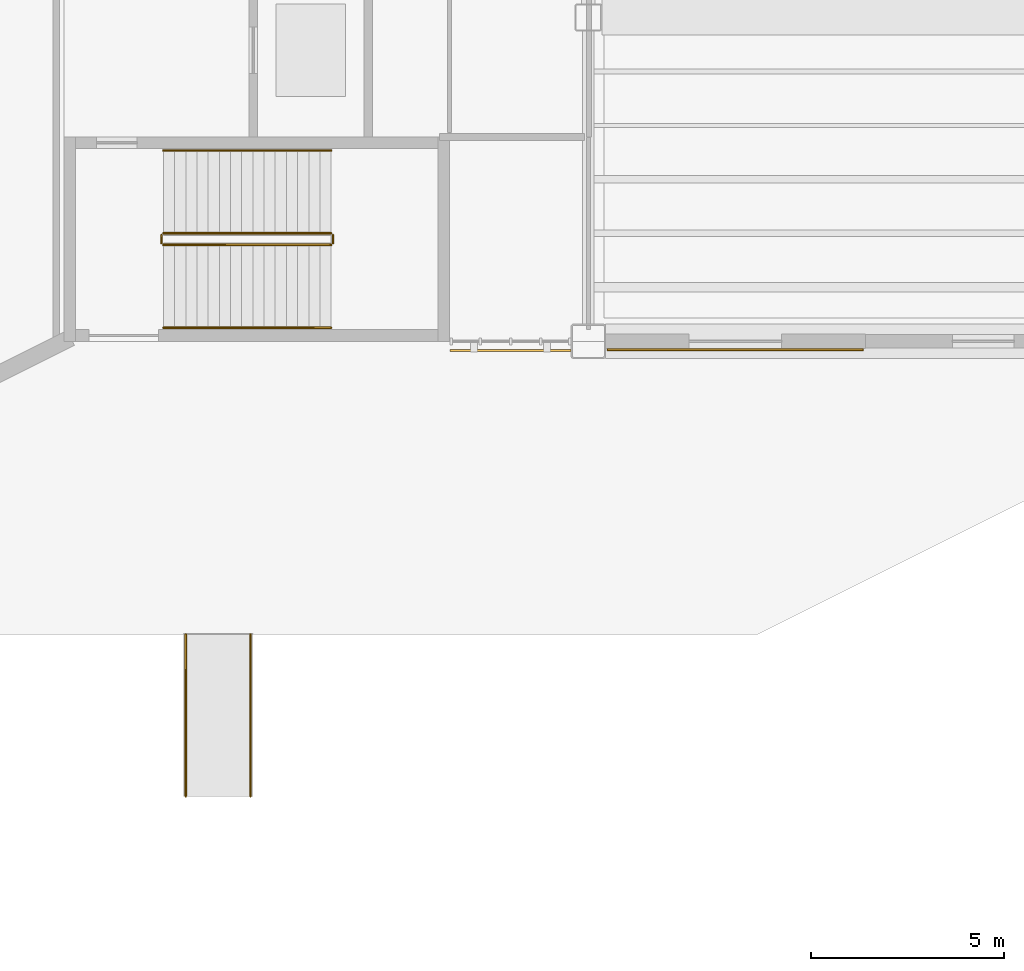
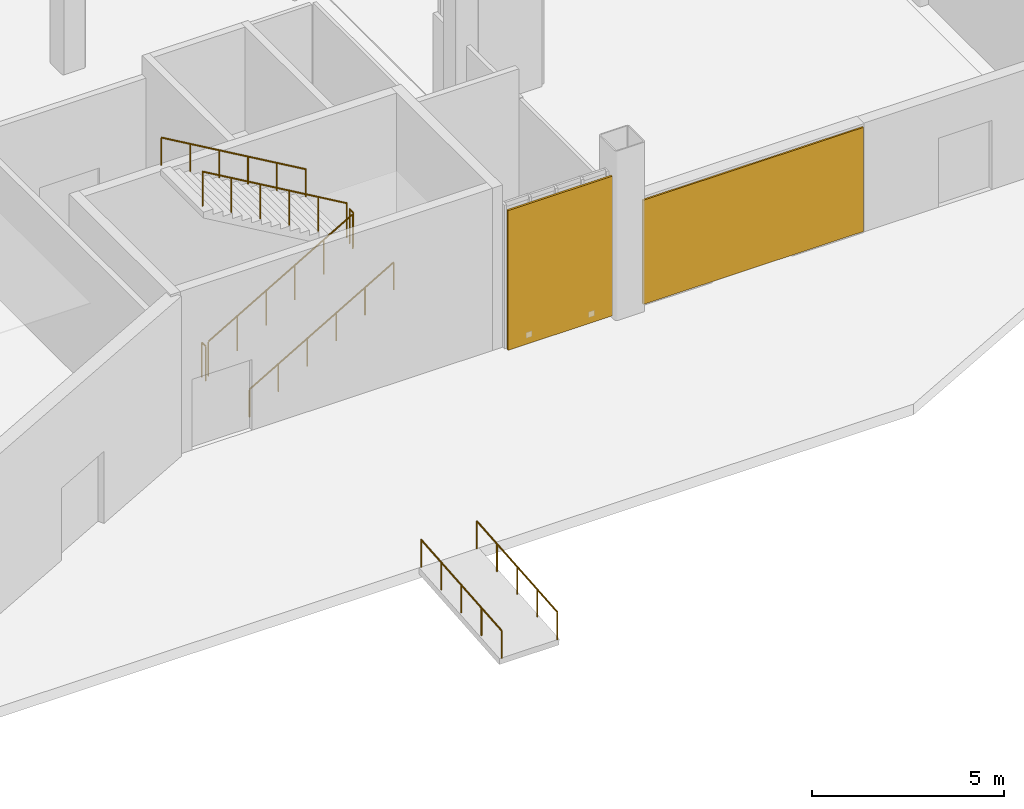
# One storey, part 102 of 111: 8 railings, 1 covering, 1 shading device.
"""IFC4 building model written with IfcOpenShell, lengths in metres."""

from ifc_helpers import new_model, si_unit, direction, frame, origin, origin_2d, place, context, subcontext, project, spatial, rectangle, circle, extrude, material, layer, layer_set, type_object, element, save


model = new_model("IFC4")

# Units and contexts
model_context = context("Model", 3, precision=1e-05, world=origin(), true_north=direction((0.0, 1.0)))
body_context = subcontext(model_context, "Body", "Model", "MODEL_VIEW")
ifc_project = project(units=[si_unit("LENGTHUNIT", "METRE"), si_unit("AREAUNIT", "SQUARE_METRE"), si_unit("VOLUMEUNIT", "CUBIC_METRE"), si_unit("PLANEANGLEUNIT", "RADIAN"), si_unit("MASSUNIT", "GRAM", prefix="KILO")], contexts=[model_context])

# Site, building, storey
site_placement = place(None, origin())
site = spatial("IfcSite", under=ifc_project, at=site_placement, CompositionType="ELEMENT")
building_placement = place(site_placement, origin())
building = spatial("IfcBuilding", under=site, at=building_placement, Name="Larkvane Passage Sports Hall", CompositionType="ELEMENT")
storey_placement = place(building_placement, origin())
storey = spatial("IfcBuildingStorey", under=building, at=storey_placement, Name="L00", CompositionType="ELEMENT", Elevation=0.0)

# Covering
ifc_material_1 = material(Name="Perforated anodised aluminium 5052-H32", Category="aluminium")
ifc_layer_1 = layer(ifc_material_1, 0.050048828125)
ifc_layer_set_1 = layer_set([ifc_layer_1], Name="Perforated anodised aluminium 5052-H32")
covering_type = type_object("IfcCoveringType", Name="COV-MESH-VEIL", PredefinedType="CLADDING", material=ifc_layer_set_1)
covering_placement = place(storey_placement, frame((135.415283203125, 22.58251953125, 0.07470703125), z_axis=(0.0, 0.0, 1.0), x_axis=(-1.0, 0.0, 0.0)))
element("IfcCovering", 1, at=covering_placement, inside=storey, type_object=covering_type, Name="Perforated cladding cassette L00-052", PredefinedType="CLADDING", context=body_context, shape_type="SweptSolid", body=[
    extrude(rectangle(XDim=6.638916015625, YDim=0.050048828125, at=origin_2d()), origin(), (0.0, 0.0, 1.0), 3.318115234375),
])

# Railings
ifc_material_2 = material(Name="Steel S355JR", Category="steel")
railing_type_1 = type_object("IfcRailingType", Name="RL-GUARD-1120", PredefinedType="GUARDRAIL", material=ifc_material_2)
railing_1_placement = place(storey_placement, frame((120.580078125, 25.300048828125, 0.168701171875)))
element("IfcRailing", 2, at=railing_1_placement, inside=storey, type_object=railing_type_1, Name="L00 ST-05 stair guard 1", PredefinedType="GUARDRAIL", context=body_context, shape_type="SweptSolid", body=[
    extrude(circle(Radius=0.02392578125, at=origin_2d()), frame((0.001708984375, 0.0, 1.09716796875), z_axis=(0.864311530196, 0.0, 0.502956835891), x_axis=(0.0, 1.0, 0.0)), (0.0, 0.0, 1.0), 5.02880859375),
    extrude(circle(Radius=0.02099609375, at=origin_2d()), origin(), (0.0, 0.0, 1.0), 1.072021484375),
    extrude(circle(Radius=0.02099609375, at=origin_2d()), frame((0.869873046875, 0.0, 0.50634765625)), (0.0, 0.0, 1.0), 1.072021484375),
    extrude(circle(Radius=0.02099609375, at=origin_2d()), frame((1.739990234375, 0.0, 1.012451171875)), (0.0, 0.0, 1.0), 1.072021484375),
    extrude(circle(Radius=0.02099609375, at=origin_2d()), frame((2.60986328125, 0.0, 1.518798828125)), (0.0, 0.0, 1.0), 1.072021484375),
    extrude(circle(Radius=0.02099609375, at=origin_2d()), frame((3.47998046875, 0.0, 2.02490234375)), (0.0, 0.0, 1.0), 1.072021484375),
    extrude(circle(Radius=0.02099609375, at=origin_2d()), frame((4.349853515625, 0.0, 2.53125)), (0.0, 0.0, 1.0), 1.072021484375),
])
railing_2_placement = place(storey_placement, frame((124.97998046875, 25.35009765625, 2.699951171875)))
element("IfcRailing", 3, at=railing_2_placement, inside=storey, type_object=railing_type_1, Name="L00 ST-05 stair guard 2", PredefinedType="GUARDRAIL", context=body_context, shape_type="SweptSolid", body=[
    extrude(circle(Radius=0.02392578125, at=origin_2d()), frame((0.0, 0.001953125, 1.09619140625), z_axis=(0.0, 1.0, 0.0), x_axis=(-1.0, 0.0, 0.0)), (0.0, 0.0, 1.0), 0.196044921875),
    extrude(circle(Radius=0.02099609375, at=origin_2d()), origin(), (0.0, 0.0, 1.0), 1.072021484375),
    extrude(circle(Radius=0.02099609375, at=origin_2d()), frame((0.0, 0.199951171875, 0.0)), (0.0, 0.0, 1.0), 1.072021484375),
])
railing_3_placement = place(storey_placement, frame((124.929931640625, 25.60009765625, 2.86865234375)))
element("IfcRailing", 4, at=railing_3_placement, inside=storey, type_object=railing_type_1, Name="L00 ST-05 stair guard 3", PredefinedType="GUARDRAIL", context=body_context, shape_type="SweptSolid", body=[
    extrude(circle(Radius=0.02392578125, at=origin_2d()), frame((-0.001708984375, 0.0, 1.09716796875), z_axis=(-0.864311530196, 0.0, 0.502956835891), x_axis=(0.0, -1.0, 0.0)), (0.0, 0.0, 1.0), 5.02880859375),
    extrude(circle(Radius=0.02099609375, at=origin_2d()), origin(), (0.0, 0.0, 1.0), 1.072021484375),
    extrude(circle(Radius=0.02099609375, at=origin_2d()), frame((-0.869873046875, 0.0, 0.50634765625)), (0.0, 0.0, 1.0), 1.072021484375),
    extrude(circle(Radius=0.02099609375, at=origin_2d()), frame((-1.739990234375, 0.0, 1.012451171875)), (0.0, 0.0, 1.0), 1.072021484375),
    extrude(circle(Radius=0.02099609375, at=origin_2d()), frame((-2.60986328125, 0.0, 1.518798828125)), (0.0, 0.0, 1.0), 1.072021484375),
    extrude(circle(Radius=0.02099609375, at=origin_2d()), frame((-3.47998046875, 0.0, 2.02490234375)), (0.0, 0.0, 1.0), 1.072021484375),
    extrude(circle(Radius=0.02099609375, at=origin_2d()), frame((-4.349853515625, 0.0, 2.53125)), (0.0, 0.0, 1.0), 1.072021484375),
])
railing_4_placement = place(storey_placement, frame((120.530029296875, 25.35009765625, 0.0)))
element("IfcRailing", 5, at=railing_4_placement, inside=storey, type_object=railing_type_1, Name="L00 ST-05 stair guard 4", PredefinedType="GUARDRAIL", context=body_context, shape_type="SweptSolid", body=[
    extrude(circle(Radius=0.02392578125, at=origin_2d()), frame((0.0, 0.001953125, 1.09619140625), z_axis=(0.0, 1.0, 0.0), x_axis=(-1.0, 0.0, 0.0)), (0.0, 0.0, 1.0), 0.196044921875),
    extrude(circle(Radius=0.02099609375, at=origin_2d()), origin(), (0.0, 0.0, 1.0), 1.072021484375),
    extrude(circle(Radius=0.02099609375, at=origin_2d()), frame((0.0, 0.199951171875, 0.0)), (0.0, 0.0, 1.0), 1.072021484375),
])
ifc_material_3 = material(Name="Stainless steel S355JR", Category="steel")
railing_type_2 = type_object("IfcRailingType", Name="RL-HAND-920", PredefinedType="HANDRAIL", material=ifc_material_3)
railing_5_placement = place(storey_placement, frame((120.580078125, 23.14990234375, 0.168701171875)))
element("IfcRailing", 6, at=railing_5_placement, inside=storey, type_object=railing_type_2, Name="L00 ST-05 stair handrail 1", PredefinedType="HANDRAIL", context=body_context, shape_type="SweptSolid", body=[
    extrude(circle(Radius=0.02392578125, at=origin_2d()), frame((0.001708984375, 0.0, 0.876953125), z_axis=(0.864311530196, 0.0, 0.502956835891), x_axis=(0.0, 1.0, 0.0)), (0.0, 0.0, 1.0), 5.02880859375),
    extrude(circle(Radius=0.02099609375, at=origin_2d()), origin(), (0.0, 0.0, 1.0), 0.851806640625),
    extrude(circle(Radius=0.02099609375, at=origin_2d()), frame((0.869873046875, 0.0, 0.50634765625)), (0.0, 0.0, 1.0), 0.851806640625),
    extrude(circle(Radius=0.02099609375, at=origin_2d()), frame((1.739990234375, 0.0, 1.012451171875)), (0.0, 0.0, 1.0), 0.851806640625),
    extrude(circle(Radius=0.02099609375, at=origin_2d()), frame((2.60986328125, 0.0, 1.518798828125)), (0.0, 0.0, 1.0), 0.851806640625),
    extrude(circle(Radius=0.02099609375, at=origin_2d()), frame((3.47998046875, 0.0, 2.02490234375)), (0.0, 0.0, 1.0), 0.851806640625),
    extrude(circle(Radius=0.02099609375, at=origin_2d()), frame((4.349853515625, 0.0, 2.53125)), (0.0, 0.0, 1.0), 0.851806640625),
])
railing_6_placement = place(storey_placement, frame((124.929931640625, 27.75, 2.86865234375)))
element("IfcRailing", 7, at=railing_6_placement, inside=storey, type_object=railing_type_2, Name="L00 ST-05 stair handrail 2", PredefinedType="HANDRAIL", context=body_context, shape_type="SweptSolid", body=[
    extrude(circle(Radius=0.02392578125, at=origin_2d()), frame((-0.001708984375, 0.0, 0.876953125), z_axis=(-0.864311530196, 0.0, 0.502956835891), x_axis=(0.0, -1.0, 0.0)), (0.0, 0.0, 1.0), 5.02880859375),
    extrude(circle(Radius=0.02099609375, at=origin_2d()), origin(), (0.0, 0.0, 1.0), 0.851806640625),
    extrude(circle(Radius=0.02099609375, at=origin_2d()), frame((-0.869873046875, 0.0, 0.50634765625)), (0.0, 0.0, 1.0), 0.851806640625),
    extrude(circle(Radius=0.02099609375, at=origin_2d()), frame((-1.739990234375, 0.0, 1.012451171875)), (0.0, 0.0, 1.0), 0.851806640625),
    extrude(circle(Radius=0.02099609375, at=origin_2d()), frame((-2.60986328125, 0.0, 1.518798828125)), (0.0, 0.0, 1.0), 0.851806640625),
    extrude(circle(Radius=0.02099609375, at=origin_2d()), frame((-3.47998046875, 0.0, 2.02490234375)), (0.0, 0.0, 1.0), 0.851806640625),
    extrude(circle(Radius=0.02099609375, at=origin_2d()), frame((-4.349853515625, 0.0, 2.53125)), (0.0, 0.0, 1.0), 0.851806640625),
])
for number, where, name in (
    (8, (121.159912109375, 11.0, -0.35009765625), "Accessible ramp handrail RA-06-W"),
    (9, (122.840087890625, 11.0, -0.35009765625), "Accessible ramp handrail RA-06-E"),
):
    element("IfcRailing", number, at=place(storey_placement, frame(where)), inside=storey, type_object=railing_type_2, Name=name, PredefinedType="HANDRAIL", context=body_context, shape_type="SweptSolid", body=[
        extrude(circle(Radius=0.02392578125, at=origin_2d()), frame((0.0, 0.001953125, 0.8759765625), z_axis=(0.0, 0.996543760423, 0.083069450238), x_axis=(-1.0, 0.0, 0.0)), (0.0, 0.0, 1.0), 4.21044921875),
        extrude(circle(Radius=0.02099609375, at=origin_2d()), origin(), (0.0, 0.0, 1.0), 0.851806640625),
        extrude(circle(Radius=0.02099609375, at=origin_2d()), frame((0.0, 1.050048828125, 0.08740234375)), (0.0, 0.0, 1.0), 0.851806640625),
        extrude(circle(Radius=0.02099609375, at=origin_2d()), frame((0.0, 2.10009765625, 0.175048828125)), (0.0, 0.0, 1.0), 0.851806640625),
        extrude(circle(Radius=0.02099609375, at=origin_2d()), frame((0.0, 3.14990234375, 0.2626953125)), (0.0, 0.0, 1.0), 0.851806640625),
        extrude(circle(Radius=0.02099609375, at=origin_2d()), frame((0.0, 4.199951171875, 0.35009765625)), (0.0, 0.0, 1.0), 0.851806640625),
    ])

# Shading device
ifc_layer_2 = layer(ifc_material_1, 0.06005859375)
ifc_layer_set_2 = layer_set([ifc_layer_2], Name="Perforated anodised aluminium 5052-H32")
shading_device_type = type_object("IfcShadingDeviceType", Name="SHD-VEIL-PERF", PredefinedType="SHUTTER", material=ifc_layer_set_2)
shading_device_placement = place(storey_placement, frame((129.58203125, 22.56005859375, 0.06005859375), z_axis=(0.0, 0.0, 1.0), x_axis=(-1.0, 0.0, 0.0)))
element("IfcShadingDevice", 10, at=shading_device_placement, inside=storey, type_object=shading_device_type, Name="Solar veil screen L00-016", PredefinedType="SHUTTER", context=body_context, shape_type="SweptSolid", body=[
    extrude(rectangle(XDim=3.14404296875, YDim=0.06005859375, at=origin_2d()), origin(), (0.0, 0.0, 1.0), 4.449951171875),
])

save(model, "model.ifc")
